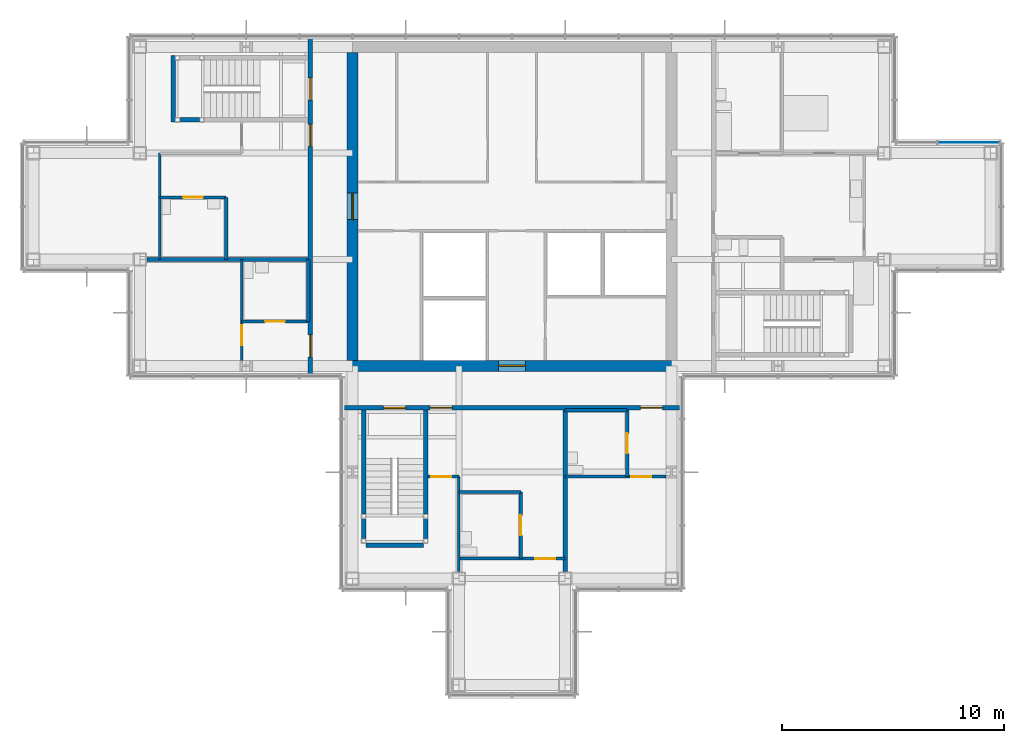
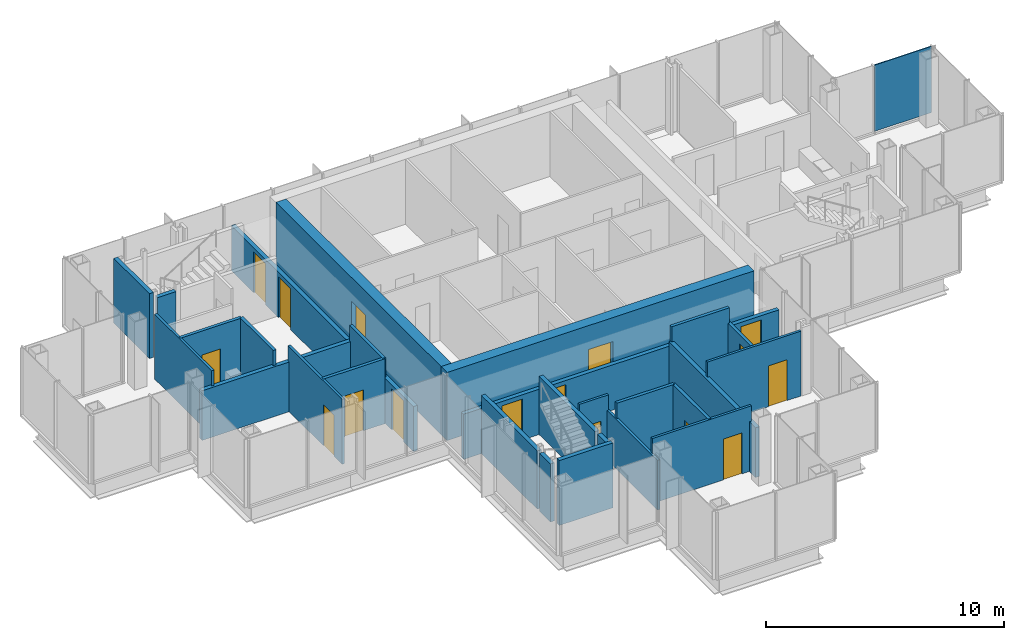
# One storey, part 10 of 15: 27 walls, 16 doors, 1 plate, 16 openings, 1 element without a shape of its own.
"""IFC4 building model written with IfcOpenShell, lengths in metres."""

from ifc_helpers import new_model, si_unit, direction, frame, frame_2d, origin, origin_2d, place, context, subcontext, project, spatial, rectangle, extrude, material, layer, layer_set, type_object, element, fill, aggregate, save


model = new_model("IFC4")

# Units and contexts
model_context = context("Model", 3, precision=1e-05, world=origin(), true_north=direction((0.0, 1.0)))
body_context = subcontext(model_context, "Body", "Model", "MODEL_VIEW")
ifc_project = project(units=[si_unit("LENGTHUNIT", "METRE"), si_unit("AREAUNIT", "SQUARE_METRE"), si_unit("VOLUMEUNIT", "CUBIC_METRE"), si_unit("PLANEANGLEUNIT", "RADIAN"), si_unit("MASSUNIT", "GRAM", prefix="KILO")], contexts=[model_context])

# Site, building, storey
site_placement = place(None, origin())
site = spatial("IfcSite", under=ifc_project, at=site_placement, CompositionType="ELEMENT")
building_placement = place(site_placement, origin())
building = spatial("IfcBuilding", under=site, at=building_placement, Name="Kvirike Care Tower", CompositionType="ELEMENT")
storey_placement = place(building_placement, frame((0.0, 0.0, 226.0)))
storey = spatial("IfcBuildingStorey", under=building, at=storey_placement, Name="L62", CompositionType="ELEMENT", Elevation=226.0)

# Curtain wall, plate
ifc_material_1 = material(Name="Anodised aluminium stick system", Category="aluminium")
curtain_wall_type = type_object("IfcCurtainWallType", Name="CW-D STICK CURTAIN WALL", PredefinedType="NOTDEFINED", material=ifc_material_1)
curtain_wall_placement = place(storey_placement, origin())
curtain_wall = element("IfcCurtainWall", 1, at=curtain_wall_placement, inside=storey, type_object=curtain_wall_type, Name="Curtain wall L62 face 5", PredefinedType="NOTDEFINED")
ifc_material_2 = material(Name="Tinted double glazed unit", Category="glass")
ifc_layer_1 = layer(ifc_material_2, 0.0439453125)
ifc_layer_set_1 = layer_set([ifc_layer_1], Name="TINTED VISION PANEL 44")
plate_type = type_object("IfcPlateType", Name="TINTED VISION PANEL 44", PredefinedType="CURTAIN_PANEL", material=ifc_layer_set_1)
plate_placement = place(storey_placement, frame((42.2236328125, 38.8798828125, 0.10009765625), z_axis=(0.0, 0.0, 1.0), x_axis=(-1.0, 0.0, 0.0)))
plate = element("IfcPlate", 2, at=plate_placement, type_object=plate_type, Name="CW-D panel L62 face 5.1", PredefinedType="CURTAIN_PANEL", context=body_context, shape_type="SweptSolid", body=[
    extrude(rectangle(XDim=2.782470703125, YDim=0.0439453125, at=origin_2d()), origin(), (0.0, 0.0, 1.0), 3.39990234375),
])
aggregate(curtain_wall, [plate])

# Wall, opening, door
ifc_material_3 = material(Name="Moisture-resistant board partition", Category="gypsum")
ifc_layer_2 = layer(ifc_material_3, 0.14990234375)
ifc_layer_set_2 = layer_set([ifc_layer_2], Name="BATHROOM WALL 150")
wall_type_1 = type_object("IfcWallType", Name="BATHROOM WALL 150", PredefinedType="PARTITIONING", material=ifc_layer_set_2)
wall_1_placement = place(storey_placement, frame((5.699951171875, 36.39990234375, 0.0), z_axis=(0.0, 0.0, 1.0), x_axis=(1.0, 0.0, 0.0)))
wall_1 = element("IfcWall", 3, at=wall_1_placement, inside=storey, type_object=wall_type_1, Name="Bathroom Wall 150 L62", PredefinedType="PARTITIONING", context=body_context, shape_type="SweptSolid", body=[
    extrude(rectangle(XDim=3.0, YDim=0.14990234375, at=frame_2d((1.5, 0.0))), origin(), (0.0, 0.0, 1.0), 3.330078125),
])
opening_1_placement = place(wall_1_placement, frame((1.050048828125, 0.0, 0.0)))
opening_1 = element("IfcOpeningElement", 4, at=opening_1_placement, cuts=wall_1, Name="Opening 62-001", PredefinedType="OPENING", context=body_context, shape_type="SweptSolid", body=[
    extrude(rectangle(XDim=0.89990234375, YDim=2.10009765625, at=frame_2d((0.449951171875, 1.050048828125))), frame((0.0, 0.08544921875, 0.0), z_axis=(0.0, -1.0, 0.0), x_axis=(1.0, 0.0, 0.0)), (0.0, 0.0, 1.0), 0.1708984375),
])
ifc_material_4 = material(Name="Timber door set", Category="wood")
door_type_1 = type_object("IfcDoorType", Name="BATHROOM DOOR 900", OperationType="SINGLE_SWING_RIGHT", PredefinedType="DOOR", material=ifc_material_4)
door_1_placement = place(opening_1_placement, frame((0.89990234375, 0.0, 0.0), z_axis=(0.0, 0.0, 1.0), x_axis=(-1.0, 0.0, 0.0)))
door_1 = element("IfcDoor", 5, at=door_1_placement, inside=storey, type_object=door_type_1, Name="Staff WC door", OperationType="SINGLE_SWING_LEFT", OverallHeight=2.10009765625, OverallWidth=0.89990234375, PredefinedType="DOOR", context=body_context, shape_type="SweptSolid", body=[
    extrude(rectangle(XDim=0.89990234375, YDim=2.10009765625, at=frame_2d((0.449951171875, 1.050048828125))), frame((0.0, 0.02197265625, 0.0), z_axis=(0.0, -1.0, 0.0), x_axis=(1.0, 0.0, 0.0)), (0.0, 0.0, 1.0), 0.0439453125),
])
fill(opening_1, door_1)

# Wall
wall_2_placement = place(storey_placement, frame((8.699951171875, 36.39990234375, 0.0), z_axis=(0.0, 0.0, 1.0), x_axis=(0.0, -1.0, 0.0)))
element("IfcWall", 6, at=wall_2_placement, inside=storey, type_object=wall_type_1, Name="Bathroom Wall 150 L62", PredefinedType="PARTITIONING", context=body_context, shape_type="SweptSolid", body=[
    extrude(rectangle(XDim=2.7998046875, YDim=0.14990234375, at=frame_2d((1.39990234375, 0.0))), origin(), (0.0, 0.0, 1.0), 3.330078125),
])

# Wall, opening, door
wall_3_placement = place(storey_placement, frame((9.39990234375, 30.800048828125, 0.0), z_axis=(0.0, 0.0, 1.0), x_axis=(1.0, 0.0, 0.0)))
wall_3 = element("IfcWall", 7, at=wall_3_placement, inside=storey, type_object=wall_type_1, Name="Bathroom Wall 150 L62", PredefinedType="PARTITIONING", context=body_context, shape_type="SweptSolid", body=[
    extrude(rectangle(XDim=3.0, YDim=0.14990234375, at=frame_2d((1.5, 0.0))), origin(), (0.0, 0.0, 1.0), 3.330078125),
])
opening_2_placement = place(wall_3_placement, frame((1.050048828125, 0.0, 0.0)))
opening_2 = element("IfcOpeningElement", 8, at=opening_2_placement, cuts=wall_3, Name="Opening 62-003", PredefinedType="OPENING", context=body_context, shape_type="SweptSolid", body=[
    extrude(rectangle(XDim=0.89990234375, YDim=2.10009765625, at=frame_2d((0.449951171875, 1.050048828125))), frame((0.0, 0.08544921875, 0.0), z_axis=(0.0, -1.0, 0.0), x_axis=(1.0, 0.0, 0.0)), (0.0, 0.0, 1.0), 0.1708984375),
])
door_2_placement = place(opening_2_placement, frame((0.89990234375, 0.0, 0.0), z_axis=(0.0, 0.0, 1.0), x_axis=(-1.0, 0.0, 0.0)))
door_2 = element("IfcDoor", 9, at=door_2_placement, inside=storey, type_object=door_type_1, Name="Accessible WC door", OperationType="SINGLE_SWING_LEFT", OverallHeight=2.10009765625, OverallWidth=0.89990234375, PredefinedType="DOOR", context=body_context, shape_type="SweptSolid", body=[
    extrude(rectangle(XDim=0.89990234375, YDim=2.10009765625, at=frame_2d((0.449951171875, 1.050048828125))), frame((0.0, 0.02197265625, 0.0), z_axis=(0.0, -1.0, 0.0), x_axis=(1.0, 0.0, 0.0)), (0.0, 0.0, 1.0), 0.0439453125),
])
fill(opening_2, door_2)

# Wall
wall_4_placement = place(storey_placement, frame((12.39990234375, 33.60009765625, 0.0), z_axis=(0.0, 0.0, 1.0), x_axis=(0.0, -1.0, 0.0)))
element("IfcWall", 10, at=wall_4_placement, inside=storey, type_object=wall_type_1, Name="Bathroom Wall 150 L62", PredefinedType="PARTITIONING", context=body_context, shape_type="SweptSolid", body=[
    extrude(rectangle(XDim=2.800048828125, YDim=0.14990234375, at=frame_2d((1.39990234375, 0.0))), origin(), (0.0, 0.0, 1.0), 3.330078125),
])

# Wall, opening, door
wall_5_placement = place(storey_placement, frame((22.0, 20.10009765625, 0.0), z_axis=(0.0, 0.0, 1.0), x_axis=(0.0, 1.0, 0.0)))
wall_5 = element("IfcWall", 11, at=wall_5_placement, inside=storey, type_object=wall_type_1, Name="Bathroom Wall 150 L62", PredefinedType="PARTITIONING", context=body_context, shape_type="SweptSolid", body=[
    extrude(rectangle(XDim=3.0, YDim=0.14990234375, at=frame_2d((1.5, 0.0))), origin(), (0.0, 0.0, 1.0), 3.330078125),
])
opening_3_placement = place(wall_5_placement, frame((1.050048828125, 0.0, 0.0)))
opening_3 = element("IfcOpeningElement", 12, at=opening_3_placement, cuts=wall_5, Name="Opening 62-008", PredefinedType="OPENING", context=body_context, shape_type="SweptSolid", body=[
    extrude(rectangle(XDim=0.89990234375, YDim=2.10009765625, at=frame_2d((0.449951171875, 1.050048828125))), frame((0.0, 0.08544921875, 0.0), z_axis=(0.0, -1.0, 0.0), x_axis=(1.0, 0.0, 0.0)), (0.0, 0.0, 1.0), 0.1708984375),
])
door_3_placement = place(opening_3_placement, origin())
door_3 = element("IfcDoor", 13, at=door_3_placement, inside=storey, type_object=door_type_1, Name="Accessible WC door", OperationType="SINGLE_SWING_LEFT", OverallHeight=2.10009765625, OverallWidth=0.89990234375, PredefinedType="DOOR", context=body_context, shape_type="SweptSolid", body=[
    extrude(rectangle(XDim=0.89990234375, YDim=2.10009765625, at=frame_2d((0.449951171875, 1.050048828125))), frame((0.0, 0.02197265625, 0.0), z_axis=(0.0, -1.0, 0.0), x_axis=(1.0, 0.0, 0.0)), (0.0, 0.0, 1.0), 0.0439453125),
])
fill(opening_3, door_3)

# Wall
wall_6_placement = place(storey_placement, frame((19.199951171875, 23.10009765625, 0.0), z_axis=(0.0, 0.0, 1.0), x_axis=(1.0, 0.0, 0.0)))
element("IfcWall", 14, at=wall_6_placement, inside=storey, type_object=wall_type_1, Name="Bathroom Wall 150 L62", PredefinedType="PARTITIONING", context=body_context, shape_type="SweptSolid", body=[
    extrude(rectangle(XDim=2.800048828125, YDim=0.14990234375, at=frame_2d((1.39990234375, 0.0))), origin(), (0.0, 0.0, 1.0), 3.330078125),
])

# Wall, opening, door
wall_7_placement = place(storey_placement, frame((26.800048828125, 23.800048828125, 0.0), z_axis=(0.0, 0.0, 1.0), x_axis=(0.0, 1.0, 0.0)))
wall_7 = element("IfcWall", 15, at=wall_7_placement, inside=storey, type_object=wall_type_1, Name="Bathroom Wall 150 L62", PredefinedType="PARTITIONING", context=body_context, shape_type="SweptSolid", body=[
    extrude(rectangle(XDim=3.0, YDim=0.14990234375, at=frame_2d((1.5, 0.0))), origin(), (0.0, 0.0, 1.0), 2.550048828125),
])
opening_4_placement = place(wall_7_placement, frame((1.050048828125, 0.0, 0.0)))
opening_4 = element("IfcOpeningElement", 16, at=opening_4_placement, cuts=wall_7, Name="Opening 62-011", PredefinedType="OPENING", context=body_context, shape_type="SweptSolid", body=[
    extrude(rectangle(XDim=0.89990234375, YDim=2.10009765625, at=frame_2d((0.449951171875, 1.050048828125))), frame((0.0, 0.08544921875, 0.0), z_axis=(0.0, -1.0, 0.0), x_axis=(1.0, 0.0, 0.0)), (0.0, 0.0, 1.0), 0.1708984375),
])
door_4_placement = place(opening_4_placement, frame((0.89990234375, 0.0, 0.0), z_axis=(0.0, 0.0, 1.0), x_axis=(-1.0, 0.0, 0.0)))
door_4 = element("IfcDoor", 17, at=door_4_placement, inside=storey, type_object=door_type_1, Name="Staff WC door", OperationType="SINGLE_SWING_RIGHT", OverallHeight=2.10009765625, OverallWidth=0.89990234375, PredefinedType="DOOR", context=body_context, shape_type="SweptSolid", body=[
    extrude(rectangle(XDim=0.89990234375, YDim=2.10009765625, at=frame_2d((0.449951171875, 1.050048828125))), frame((0.0, 0.02197265625, 0.0), z_axis=(0.0, -1.0, 0.0), x_axis=(1.0, 0.0, 0.0)), (0.0, 0.0, 1.0), 0.0439453125),
])
fill(opening_4, door_4)

# Wall
wall_8_placement = place(storey_placement, frame((24.0, 26.800048828125, 0.0), z_axis=(0.0, 0.0, 1.0), x_axis=(1.0, 0.0, 0.0)))
element("IfcWall", 18, at=wall_8_placement, inside=storey, type_object=wall_type_1, Name="Bathroom Wall 150 L62", PredefinedType="PARTITIONING", context=body_context, shape_type="SweptSolid", body=[
    extrude(rectangle(XDim=2.800048828125, YDim=0.14990234375, at=frame_2d((1.39990234375, 0.0))), origin(), (0.0, 0.0, 1.0), 3.330078125),
])

# Wall, opening, door
ifc_material_5 = material(Name="Concrete C40/50", Category="concrete")
ifc_layer_3 = layer(ifc_material_5, 0.5)
ifc_layer_set_3 = layer_set([ifc_layer_3], Name="CORE WALL 500 C40-50")
wall_type_2 = type_object("IfcWallType", Name="CORE WALL 500 C40-50", PredefinedType="SHEAR", material=ifc_layer_set_3)
wall_9_placement = place(storey_placement, frame((14.14990234375, 28.800048828125, -0.169921875), z_axis=(0.0, 0.0, 1.0), x_axis=(1.0, 0.0, 0.0)))
wall_9 = element("IfcWall", 19, at=wall_9_placement, inside=storey, type_object=wall_type_2, Name="Core wall S L62", PredefinedType="SHEAR", context=body_context, shape_type="SweptSolid", body=[
    extrude(rectangle(XDim=14.900146484375, YDim=0.5, at=frame_2d((7.4501953125, 0.0))), origin(), (0.0, 0.0, 1.0), 3.5),
])
opening_5_placement = place(wall_9_placement, frame((6.85009765625, 0.0, 0.169921875)))
opening_5 = element("IfcOpeningElement", 20, at=opening_5_placement, cuts=wall_9, Name="Opening 62-036", PredefinedType="OPENING", context=body_context, shape_type="SweptSolid", body=[
    extrude(rectangle(XDim=1.199951171875, YDim=2.10009765625, at=frame_2d((0.60009765625, 1.050048828125))), frame((0.0, 0.260498046875, 0.0), z_axis=(0.0, -1.0, 0.0), x_axis=(1.0, 0.0, 0.0)), (0.0, 0.0, 1.0), 0.52099609375),
])
ifc_material_6 = material(Name="Timber door set", Category="wood")
door_type_2 = type_object("IfcDoorType", Name="CORE DOOR 1200", OperationType="SINGLE_SWING_LEFT", PredefinedType="DOOR", material=ifc_material_6)
door_5_placement = place(opening_5_placement, origin())
door_5 = element("IfcDoor", 21, at=door_5_placement, inside=storey, type_object=door_type_2, Name="Core door S L62", OperationType="SINGLE_SWING_LEFT", OverallHeight=2.10009765625, OverallWidth=1.199951171875, PredefinedType="DOOR", context=body_context, shape_type="SweptSolid", body=[
    extrude(rectangle(XDim=1.199951171875, YDim=2.10009765625, at=frame_2d((0.60009765625, 1.050048828125))), frame((0.0, 0.02685546875, 0.0), z_axis=(0.0, -1.0, 0.0), x_axis=(1.0, 0.0, 0.0)), (0.0, 0.0, 1.0), 0.053955078125),
])
fill(opening_5, door_5)

wall_10_placement = place(storey_placement, frame((14.39990234375, 42.949951171875, -0.169921875), z_axis=(0.0, 0.0, 1.0), x_axis=(0.0, -1.0, 0.0)))
wall_10 = element("IfcWall", 22, at=wall_10_placement, inside=storey, type_object=wall_type_2, Name="Core wall W L62", PredefinedType="SHEAR", context=body_context, shape_type="SweptSolid", body=[
    extrude(rectangle(XDim=13.89990234375, YDim=0.5, at=frame_2d((6.949951171875, 0.0))), origin(), (0.0, 0.0, 1.0), 3.5),
])
opening_6_placement = place(wall_10_placement, frame((6.35009765625, 0.0, 0.169921875)))
opening_6 = element("IfcOpeningElement", 23, at=opening_6_placement, cuts=wall_10, Name="Opening 62-037", PredefinedType="OPENING", context=body_context, shape_type="SweptSolid", body=[
    extrude(rectangle(XDim=1.199951171875, YDim=2.10009765625, at=frame_2d((0.60009765625, 1.050048828125))), frame((0.0, 0.260498046875, 0.0), z_axis=(0.0, -1.0, 0.0), x_axis=(1.0, 0.0, 0.0)), (0.0, 0.0, 1.0), 0.52099609375),
])
door_6_placement = place(opening_6_placement, origin())
door_6 = element("IfcDoor", 24, at=door_6_placement, inside=storey, type_object=door_type_2, Name="Core door W L62", OperationType="SINGLE_SWING_LEFT", OverallHeight=2.10009765625, OverallWidth=1.199951171875, PredefinedType="DOOR", context=body_context, shape_type="SweptSolid", body=[
    extrude(rectangle(XDim=1.199951171875, YDim=2.10009765625, at=frame_2d((0.60009765625, 1.050048828125))), frame((0.0, 0.02685546875, 0.0), z_axis=(0.0, -1.0, 0.0), x_axis=(1.0, 0.0, 0.0)), (0.0, 0.0, 1.0), 0.053955078125),
])
fill(opening_6, door_6)

# Wall, openings, doors
ifc_material_7 = material(Name="Plasterboard corridor wall", Category="gypsum")
ifc_layer_4 = layer(ifc_material_7, 0.199951171875)
ifc_layer_set_4 = layer_set([ifc_layer_4], Name="CORRIDOR WALL 200")
wall_type_3 = type_object("IfcWallType", Name="CORRIDOR WALL 200", PredefinedType="PARTITIONING", material=ifc_layer_set_4)
wall_11_placement = place(storey_placement, frame((12.5, 43.655029296875, 0.0), z_axis=(0.0, 0.0, 1.0), x_axis=(0.0, -1.0, 0.0)))
wall_11 = element("IfcWall", 25, at=wall_11_placement, inside=storey, type_object=wall_type_3, Name="Corridor Wall 200 L62", PredefinedType="PARTITIONING", context=body_context, shape_type="SweptSolid", body=[
    extrude(rectangle(XDim=15.31005859375, YDim=0.199951171875, at=frame_2d((7.655029296875, 0.0))), origin(), (0.0, 0.0, 1.0), 2.320068359375),
])
opening_7_placement = place(wall_11_placement, frame((1.85498046875, 0.0, 0.0)))
opening_7 = element("IfcOpeningElement", 26, at=opening_7_placement, cuts=wall_11, Name="Opening 62-005", PredefinedType="OPENING", context=body_context, shape_type="SweptSolid", body=[
    extrude(rectangle(XDim=1.0, YDim=2.10009765625, at=frame_2d((0.5, 1.050048828125))), frame((0.0, 0.110595703125, 0.0), z_axis=(0.0, -1.0, 0.0), x_axis=(1.0, 0.0, 0.0)), (0.0, 0.0, 1.0), 0.220947265625),
])
opening_8_placement = place(wall_11_placement, frame((3.955078125, 0.0, 0.0)))
opening_8 = element("IfcOpeningElement", 27, at=opening_8_placement, cuts=wall_11, Name="Opening 62-006", PredefinedType="OPENING", context=body_context, shape_type="SweptSolid", body=[
    extrude(rectangle(XDim=1.0, YDim=2.10009765625, at=frame_2d((0.5, 1.050048828125))), frame((0.0, 0.110595703125, 0.0), z_axis=(0.0, -1.0, 0.0), x_axis=(1.0, 0.0, 0.0)), (0.0, 0.0, 1.0), 0.220947265625),
])
opening_9_placement = place(wall_11_placement, frame((13.455078125, 0.0, 0.0)))
opening_9 = element("IfcOpeningElement", 28, at=opening_9_placement, cuts=wall_11, Name="Opening 62-007", PredefinedType="OPENING", context=body_context, shape_type="SweptSolid", body=[
    extrude(rectangle(XDim=1.0, YDim=2.10009765625, at=frame_2d((0.5, 1.050048828125))), frame((0.0, 0.110595703125, 0.0), z_axis=(0.0, -1.0, 0.0), x_axis=(1.0, 0.0, 0.0)), (0.0, 0.0, 1.0), 0.220947265625),
])
ifc_material_8 = material(Name="Timber door set", Category="wood")
door_type_3 = type_object("IfcDoorType", Name="FLAT ENTRANCE DOOR 1000", OperationType="SINGLE_SWING_LEFT", PredefinedType="DOOR", material=ifc_material_8)
door_7_placement = place(opening_8_placement, frame((1.0, 0.0, 0.0), z_axis=(0.0, 0.0, 1.0), x_axis=(-1.0, 0.0, 0.0)))
door_7 = element("IfcDoor", 29, at=door_7_placement, inside=storey, type_object=door_type_3, Name="Staff training room entrance", OperationType="SINGLE_SWING_LEFT", OverallHeight=2.10009765625, OverallWidth=1.0, PredefinedType="DOOR", context=body_context, shape_type="SweptSolid", body=[
    extrude(rectangle(XDim=1.0, YDim=2.10009765625, at=frame_2d((0.5, 1.050048828125))), frame((0.0, 0.02685546875, 0.0), z_axis=(0.0, -1.0, 0.0), x_axis=(1.0, 0.0, 0.0)), (0.0, 0.0, 1.0), 0.053955078125),
])
fill(opening_8, door_7)
door_8_placement = place(opening_9_placement, frame((1.0, 0.0, 0.0), z_axis=(0.0, 0.0, 1.0), x_axis=(-1.0, 0.0, 0.0)))
door_8 = element("IfcDoor", 30, at=door_8_placement, inside=storey, type_object=door_type_3, Name="Staff office entrance", OperationType="SINGLE_SWING_RIGHT", OverallHeight=2.10009765625, OverallWidth=1.0, PredefinedType="DOOR", context=body_context, shape_type="SweptSolid", body=[
    extrude(rectangle(XDim=1.0, YDim=2.10009765625, at=frame_2d((0.5, 1.050048828125))), frame((0.0, 0.02685546875, 0.0), z_axis=(0.0, -1.0, 0.0), x_axis=(1.0, 0.0, 0.0)), (0.0, 0.0, 1.0), 0.053955078125),
])
fill(opening_9, door_8)
ifc_material_9 = material(Name="Timber door set", Category="wood")
door_type_4 = type_object("IfcDoorType", Name="STAIR DOOR 1000", OperationType="SINGLE_SWING_LEFT", PredefinedType="DOOR", material=ifc_material_9)
door_9_placement = place(opening_7_placement, frame((1.0, 0.0, 0.0), z_axis=(0.0, 0.0, 1.0), x_axis=(-1.0, 0.0, 0.0)))
door_9 = element("IfcDoor", 31, at=door_9_placement, inside=storey, type_object=door_type_4, Name="Stair 1 door", OperationType="SINGLE_SWING_RIGHT", OverallHeight=2.10009765625, OverallWidth=1.0, PredefinedType="DOOR", context=body_context, shape_type="SweptSolid", body=[
    extrude(rectangle(XDim=1.0, YDim=2.10009765625, at=frame_2d((0.5, 1.050048828125))), frame((0.0, 0.031982421875, 0.0), z_axis=(0.0, -1.0, 0.0), x_axis=(1.0, 0.0, 0.0)), (0.0, 0.0, 1.0), 0.06396484375),
])
fill(opening_7, door_9)

wall_12_placement = place(storey_placement, frame((13.945068359375, 26.89990234375, 0.0), z_axis=(0.0, 0.0, 1.0), x_axis=(1.0, 0.0, 0.0)))
wall_12 = element("IfcWall", 32, at=wall_12_placement, inside=storey, type_object=wall_type_3, Name="Corridor Wall 200 L62", PredefinedType="PARTITIONING", context=body_context, shape_type="SweptSolid", body=[
    extrude(rectangle(XDim=15.309814453125, YDim=0.199951171875, at=frame_2d((7.65478515625, 0.0))), origin(), (0.0, 0.0, 1.0), 2.320068359375),
])
opening_10_placement = place(wall_12_placement, frame((1.85498046875, 0.0, 0.0)))
opening_10 = element("IfcOpeningElement", 33, at=opening_10_placement, cuts=wall_12, Name="Opening 62-013", PredefinedType="OPENING", context=body_context, shape_type="SweptSolid", body=[
    extrude(rectangle(XDim=1.0, YDim=2.10009765625, at=frame_2d((0.5, 1.050048828125))), frame((0.0, 0.110595703125, 0.0), z_axis=(0.0, -1.0, 0.0), x_axis=(1.0, 0.0, 0.0)), (0.0, 0.0, 1.0), 0.220947265625),
])
opening_11_placement = place(wall_12_placement, frame((3.955078125, 0.0, 0.0)))
opening_11 = element("IfcOpeningElement", 34, at=opening_11_placement, cuts=wall_12, Name="Opening 62-014", PredefinedType="OPENING", context=body_context, shape_type="SweptSolid", body=[
    extrude(rectangle(XDim=1.0, YDim=2.10009765625, at=frame_2d((0.5, 1.050048828125))), frame((0.0, 0.110595703125, 0.0), z_axis=(0.0, -1.0, 0.0), x_axis=(1.0, 0.0, 0.0)), (0.0, 0.0, 1.0), 0.220947265625),
])
opening_12_placement = place(wall_12_placement, frame((13.455078125, 0.0, 0.0)))
opening_12 = element("IfcOpeningElement", 35, at=opening_12_placement, cuts=wall_12, Name="Opening 62-015", PredefinedType="OPENING", context=body_context, shape_type="SweptSolid", body=[
    extrude(rectangle(XDim=1.0, YDim=2.10009765625, at=frame_2d((0.5, 1.050048828125))), frame((0.0, 0.110595703125, 0.0), z_axis=(0.0, -1.0, 0.0), x_axis=(1.0, 0.0, 0.0)), (0.0, 0.0, 1.0), 0.220947265625),
])
door_10_placement = place(opening_11_placement, frame((1.0, 0.0, 0.0), z_axis=(0.0, 0.0, 1.0), x_axis=(-1.0, 0.0, 0.0)))
door_10 = element("IfcDoor", 36, at=door_10_placement, inside=storey, type_object=door_type_3, Name="Fitness room entrance", OperationType="SINGLE_SWING_LEFT", OverallHeight=2.10009765625, OverallWidth=1.0, PredefinedType="DOOR", context=body_context, shape_type="SweptSolid", body=[
    extrude(rectangle(XDim=1.0, YDim=2.10009765625, at=frame_2d((0.5, 1.050048828125))), frame((0.0, 0.02685546875, 0.0), z_axis=(0.0, -1.0, 0.0), x_axis=(1.0, 0.0, 0.0)), (0.0, 0.0, 1.0), 0.053955078125),
])
fill(opening_11, door_10)
door_11_placement = place(opening_12_placement, frame((1.0, 0.0, 0.0), z_axis=(0.0, 0.0, 1.0), x_axis=(-1.0, 0.0, 0.0)))
door_11 = element("IfcDoor", 37, at=door_11_placement, inside=storey, type_object=door_type_3, Name="Wellness treatment room entrance", OperationType="SINGLE_SWING_RIGHT", OverallHeight=2.10009765625, OverallWidth=1.0, PredefinedType="DOOR", context=body_context, shape_type="SweptSolid", body=[
    extrude(rectangle(XDim=1.0, YDim=2.10009765625, at=frame_2d((0.5, 1.050048828125))), frame((0.0, 0.02685546875, 0.0), z_axis=(0.0, -1.0, 0.0), x_axis=(1.0, 0.0, 0.0)), (0.0, 0.0, 1.0), 0.053955078125),
])
fill(opening_12, door_11)
door_12_placement = place(opening_10_placement, frame((1.0, 0.0, 0.0), z_axis=(0.0, 0.0, 1.0), x_axis=(-1.0, 0.0, 0.0)))
door_12 = element("IfcDoor", 38, at=door_12_placement, inside=storey, type_object=door_type_4, Name="Stair 5 door", OperationType="SINGLE_SWING_RIGHT", OverallHeight=2.10009765625, OverallWidth=1.0, PredefinedType="DOOR", context=body_context, shape_type="SweptSolid", body=[
    extrude(rectangle(XDim=1.0, YDim=2.10009765625, at=frame_2d((0.5, 1.050048828125))), frame((0.0, 0.031982421875, 0.0), z_axis=(0.0, -1.0, 0.0), x_axis=(1.0, 0.0, 0.0)), (0.0, 0.0, 1.0), 0.06396484375),
])
fill(opening_10, door_12)

# Wall
ifc_material_10 = material(Name="Plasterboard partition", Category="gypsum")
ifc_layer_5 = layer(ifc_material_10, 0.1201171875)
ifc_layer_set_5 = layer_set([ifc_layer_5], Name="PARTITION 120")
wall_type_4 = type_object("IfcWallType", Name="PARTITION 120", PredefinedType="PARTITIONING", material=ifc_layer_set_5)
wall_13_placement = place(storey_placement, frame((5.699951171875, 38.39990234375, 0.0), z_axis=(0.0, 0.0, 1.0), x_axis=(0.0, -1.0, 0.0)))
element("IfcWall", 39, at=wall_13_placement, inside=storey, type_object=wall_type_4, Name="Partition 120 L62", PredefinedType="PARTITIONING", context=body_context, shape_type="SweptSolid", body=[
    extrude(rectangle(XDim=4.7998046875, YDim=0.1201171875, at=frame_2d((2.39990234375, 0.0))), origin(), (0.0, 0.0, 1.0), 3.330078125),
])

# Wall, opening, door
wall_14_placement = place(storey_placement, frame((9.39990234375, 33.60009765625, 0.0), z_axis=(0.0, 0.0, 1.0), x_axis=(0.0, -1.0, 0.0)))
wall_14 = element("IfcWall", 40, at=wall_14_placement, inside=storey, type_object=wall_type_4, Name="Partition 120 L62", PredefinedType="PARTITIONING", context=body_context, shape_type="SweptSolid", body=[
    extrude(rectangle(XDim=4.55615234375, YDim=0.1201171875, at=frame_2d((2.278076171875, 0.0))), origin(), (0.0, 0.0, 1.0), 3.330078125),
])
opening_13_placement = place(wall_14_placement, frame((2.97509765625, 0.0, 0.0)))
opening_13 = element("IfcOpeningElement", 41, at=opening_13_placement, cuts=wall_14, Name="Opening 62-004", PredefinedType="OPENING", context=body_context, shape_type="SweptSolid", body=[
    extrude(rectangle(XDim=0.89990234375, YDim=2.10009765625, at=frame_2d((0.449951171875, 1.050048828125))), frame((0.0, 0.070556640625, 0.0), z_axis=(0.0, -1.0, 0.0), x_axis=(1.0, 0.0, 0.0)), (0.0, 0.0, 1.0), 0.14111328125),
])
ifc_material_11 = material(Name="Timber door set", Category="wood")
door_type_5 = type_object("IfcDoorType", Name="INTERNAL DOOR 900", OperationType="SINGLE_SWING_LEFT", PredefinedType="DOOR", material=ifc_material_11)
door_13_placement = place(opening_13_placement, origin())
door_13 = element("IfcDoor", 42, at=door_13_placement, inside=storey, type_object=door_type_5, Name="Staff office door", OperationType="SINGLE_SWING_RIGHT", OverallHeight=2.10009765625, OverallWidth=0.89990234375, PredefinedType="DOOR", context=body_context, shape_type="SweptSolid", body=[
    extrude(rectangle(XDim=0.89990234375, YDim=2.10009765625, at=frame_2d((0.449951171875, 1.050048828125))), frame((0.0, 0.02197265625, 0.0), z_axis=(0.0, -1.0, 0.0), x_axis=(1.0, 0.0, 0.0)), (0.0, 0.0, 1.0), 0.0439453125),
])
fill(opening_13, door_13)

wall_15_placement = place(storey_placement, frame((17.800048828125, 23.800048828125, 0.0), z_axis=(0.0, 0.0, 1.0), x_axis=(1.0, 0.0, 0.0)))
wall_15 = element("IfcWall", 43, at=wall_15_placement, inside=storey, type_object=wall_type_4, Name="Partition 120 L62", PredefinedType="PARTITIONING", context=body_context, shape_type="SweptSolid", body=[
    extrude(rectangle(XDim=1.39990234375, YDim=0.1201171875, at=frame_2d((0.699951171875, 0.0))), origin(), (0.0, 0.0, 1.0), 3.330078125),
])
opening_14_placement = place(wall_15_placement, frame((0.14990234375, 0.0, 0.0)))
opening_14 = element("IfcOpeningElement", 44, at=opening_14_placement, cuts=wall_15, Name="Opening 62-009", PredefinedType="OPENING", context=body_context, shape_type="SweptSolid", body=[
    extrude(rectangle(XDim=0.89990234375, YDim=2.10009765625, at=frame_2d((0.449951171875, 1.050048828125))), frame((0.0, 0.070556640625, 0.0), z_axis=(0.0, -1.0, 0.0), x_axis=(1.0, 0.0, 0.0)), (0.0, 0.0, 1.0), 0.14111328125),
])
door_14_placement = place(opening_14_placement, frame((0.89990234375, 0.0, 0.0), z_axis=(0.0, 0.0, 1.0), x_axis=(-1.0, 0.0, 0.0)))
door_14 = element("IfcDoor", 45, at=door_14_placement, inside=storey, type_object=door_type_5, Name="Wellness lounge door", OperationType="SINGLE_SWING_LEFT", OverallHeight=2.10009765625, OverallWidth=0.89990234375, PredefinedType="DOOR", context=body_context, shape_type="SweptSolid", body=[
    extrude(rectangle(XDim=0.89990234375, YDim=2.10009765625, at=frame_2d((0.449951171875, 1.050048828125))), frame((0.0, 0.02197265625, 0.0), z_axis=(0.0, -1.0, 0.0), x_axis=(1.0, 0.0, 0.0)), (0.0, 0.0, 1.0), 0.0439453125),
])
fill(opening_14, door_14)

wall_16_placement = place(storey_placement, frame((19.199951171875, 20.10009765625, 0.0), z_axis=(0.0, 0.0, 1.0), x_axis=(1.0, 0.0, 0.0)))
wall_16 = element("IfcWall", 46, at=wall_16_placement, inside=storey, type_object=wall_type_4, Name="Partition 120 L62", PredefinedType="PARTITIONING", context=body_context, shape_type="SweptSolid", body=[
    extrude(rectangle(XDim=4.800048828125, YDim=0.1201171875, at=frame_2d((2.39990234375, 0.0))), origin(), (0.0, 0.0, 1.0), 3.330078125),
])
opening_15_placement = place(wall_16_placement, frame((3.449951171875, 0.0, 0.0)))
opening_15 = element("IfcOpeningElement", 47, at=opening_15_placement, cuts=wall_16, Name="Opening 62-010", PredefinedType="OPENING", context=body_context, shape_type="SweptSolid", body=[
    extrude(rectangle(XDim=0.89990234375, YDim=2.10009765625, at=frame_2d((0.449951171875, 1.050048828125))), frame((0.0, 0.070556640625, 0.0), z_axis=(0.0, -1.0, 0.0), x_axis=(1.0, 0.0, 0.0)), (0.0, 0.0, 1.0), 0.14111328125),
])
door_15_placement = place(opening_15_placement, frame((0.89990234375, 0.0, 0.0), z_axis=(0.0, 0.0, 1.0), x_axis=(-1.0, 0.0, 0.0)))
door_15 = element("IfcDoor", 48, at=door_15_placement, inside=storey, type_object=door_type_5, Name="Fitness room door", OperationType="SINGLE_SWING_RIGHT", OverallHeight=2.10009765625, OverallWidth=0.89990234375, PredefinedType="DOOR", context=body_context, shape_type="SweptSolid", body=[
    extrude(rectangle(XDim=0.89990234375, YDim=2.10009765625, at=frame_2d((0.449951171875, 1.050048828125))), frame((0.0, 0.02197265625, 0.0), z_axis=(0.0, -1.0, 0.0), x_axis=(1.0, 0.0, 0.0)), (0.0, 0.0, 1.0), 0.0439453125),
])
fill(opening_15, door_15)

# Wall
wall_17_placement = place(storey_placement, frame((19.199951171875, 19.52001953125, 0.0), z_axis=(0.0, 0.0, 1.0), x_axis=(0.0, 1.0, 0.0)))
element("IfcWall", 49, at=wall_17_placement, inside=storey, type_object=wall_type_4, Name="Partition 120 L62", PredefinedType="PARTITIONING", context=body_context, shape_type="SweptSolid", body=[
    extrude(rectangle(XDim=4.280029296875, YDim=0.1201171875, at=frame_2d((2.14013671875, 0.0))), origin(), (0.0, 0.0, 1.0), 2.550048828125),
])

# Wall, opening, door
wall_18_placement = place(storey_placement, frame((24.0, 23.800048828125, 0.0), z_axis=(0.0, 0.0, 1.0), x_axis=(1.0, 0.0, 0.0)))
wall_18 = element("IfcWall", 50, at=wall_18_placement, inside=storey, type_object=wall_type_4, Name="Partition 120 L62", PredefinedType="PARTITIONING", context=body_context, shape_type="SweptSolid", body=[
    extrude(rectangle(XDim=4.555908203125, YDim=0.1201171875, at=frame_2d((2.27783203125, 0.0))), origin(), (0.0, 0.0, 1.0), 3.330078125),
])
opening_16_placement = place(wall_18_placement, frame((2.97509765625, 0.0, 0.0)))
opening_16 = element("IfcOpeningElement", 51, at=opening_16_placement, cuts=wall_18, Name="Opening 62-012", PredefinedType="OPENING", context=body_context, shape_type="SweptSolid", body=[
    extrude(rectangle(XDim=0.89990234375, YDim=2.10009765625, at=frame_2d((0.449951171875, 1.050048828125))), frame((0.0, 0.070556640625, 0.0), z_axis=(0.0, -1.0, 0.0), x_axis=(1.0, 0.0, 0.0)), (0.0, 0.0, 1.0), 0.14111328125),
])
door_16_placement = place(opening_16_placement, origin())
door_16 = element("IfcDoor", 52, at=door_16_placement, inside=storey, type_object=door_type_5, Name="Wellness treatment room door", OperationType="SINGLE_SWING_RIGHT", OverallHeight=2.10009765625, OverallWidth=0.89990234375, PredefinedType="DOOR", context=body_context, shape_type="SweptSolid", body=[
    extrude(rectangle(XDim=0.89990234375, YDim=2.10009765625, at=frame_2d((0.449951171875, 1.050048828125))), frame((0.0, 0.02197265625, 0.0), z_axis=(0.0, -1.0, 0.0), x_axis=(1.0, 0.0, 0.0)), (0.0, 0.0, 1.0), 0.0439453125),
])
fill(opening_16, door_16)

# Walls
ifc_material_12 = material(Name="Plasterboard party wall", Category="gypsum")
ifc_layer_6 = layer(ifc_material_12, 0.199951171875)
ifc_layer_set_6 = layer_set([ifc_layer_6], Name="PARTY WALL 200")
wall_type_5 = type_object("IfcWallType", Name="PARTY WALL 200", PredefinedType="PARTITIONING", material=ifc_layer_set_6)
wall_19_placement = place(storey_placement, frame((5.1201171875, 33.60009765625, 0.0), z_axis=(0.0, 0.0, 1.0), x_axis=(1.0, 0.0, 0.0)))
element("IfcWall", 53, at=wall_19_placement, inside=storey, type_object=wall_type_5, Name="Party Wall 200 L62", PredefinedType="PARTITIONING", context=body_context, shape_type="SweptSolid", body=[
    extrude(rectangle(XDim=7.27978515625, YDim=0.199951171875, at=frame_2d((3.639892578125, 0.0))), origin(), (0.0, 0.0, 1.0), 2.550048828125),
])
wall_20_placement = place(storey_placement, frame((24.0, 19.52001953125, 0.0), z_axis=(0.0, 0.0, 1.0), x_axis=(0.0, 1.0, 0.0)))
element("IfcWall", 54, at=wall_20_placement, inside=storey, type_object=wall_type_5, Name="Party Wall 200 L62", PredefinedType="PARTITIONING", context=body_context, shape_type="SweptSolid", body=[
    extrude(rectangle(XDim=7.280029296875, YDim=0.199951171875, at=frame_2d((3.64013671875, 0.0))), origin(), (0.0, 0.0, 1.0), 2.550048828125),
])
ifc_material_13 = material(Name="Concrete C40/50", Category="concrete")
ifc_layer_7 = layer(ifc_material_13, 0.199951171875)
ifc_layer_set_7 = layer_set([ifc_layer_7], Name="STAIR WALL 200")
wall_type_6 = type_object("IfcWallType", Name="STAIR WALL 200", PredefinedType="SOLIDWALL", material=ifc_layer_set_7)
wall_21_placement = place(storey_placement, frame((6.60009765625, 39.89990234375, 0.0), z_axis=(0.0, 0.0, 1.0), x_axis=(1.0, 0.0, 0.0)))
element("IfcWall", 55, at=wall_21_placement, inside=storey, type_object=wall_type_6, Name="Stair Wall 200 L62", PredefinedType="SOLIDWALL", context=body_context, shape_type="SweptSolid", body=[
    extrude(rectangle(XDim=0.89990234375, YDim=0.199951171875, at=frame_2d((0.449951171875, 0.0))), origin(), (0.0, 0.0, 1.0), 2.989990234375),
])
wall_22_placement = place(storey_placement, frame((6.300048828125, 42.800048828125, 0.0), z_axis=(0.0, 0.0, 1.0), x_axis=(0.0, -1.0, 0.0)))
element("IfcWall", 56, at=wall_22_placement, inside=storey, type_object=wall_type_6, Name="Stair Wall 200 L62", PredefinedType="SOLIDWALL", context=body_context, shape_type="SweptSolid", body=[
    extrude(rectangle(XDim=3.0, YDim=0.199951171875, at=frame_2d((1.5, 0.0))), origin(), (0.0, 0.0, 1.0), 3.330078125),
])
wall_23_placement = place(storey_placement, frame((14.89990234375, 21.0, 0.0), z_axis=(0.0, 0.0, 1.0), x_axis=(0.0, 1.0, 0.0)))
element("IfcWall", 57, at=wall_23_placement, inside=storey, type_object=wall_type_6, Name="Stair Wall 200 L62", PredefinedType="SOLIDWALL", context=body_context, shape_type="SweptSolid", body=[
    extrude(rectangle(XDim=0.89990234375, YDim=0.199951171875, at=frame_2d((0.449951171875, 0.0))), origin(), (0.0, 0.0, 1.0), 2.989990234375),
])
wall_24_placement = place(storey_placement, frame((14.89990234375, 22.10009765625, 0.0), z_axis=(0.0, 0.0, 1.0), x_axis=(0.0, 1.0, 0.0)))
element("IfcWall", 58, at=wall_24_placement, inside=storey, type_object=wall_type_6, Name="Stair Wall 200 L62", PredefinedType="SOLIDWALL", context=body_context, shape_type="SweptSolid", body=[
    extrude(rectangle(XDim=4.699951171875, YDim=0.199951171875, at=frame_2d((2.35009765625, 0.0))), origin(), (0.0, 0.0, 1.0), 2.989990234375),
])
wall_25_placement = place(storey_placement, frame((17.699951171875, 21.0, 0.0), z_axis=(0.0, 0.0, 1.0), x_axis=(0.0, 1.0, 0.0)))
element("IfcWall", 59, at=wall_25_placement, inside=storey, type_object=wall_type_6, Name="Stair Wall 200 L62", PredefinedType="SOLIDWALL", context=body_context, shape_type="SweptSolid", body=[
    extrude(rectangle(XDim=0.89990234375, YDim=0.199951171875, at=frame_2d((0.449951171875, 0.0))), origin(), (0.0, 0.0, 1.0), 2.989990234375),
])
wall_26_placement = place(storey_placement, frame((17.699951171875, 22.10009765625, 0.0), z_axis=(0.0, 0.0, 1.0), x_axis=(0.0, 1.0, 0.0)))
element("IfcWall", 60, at=wall_26_placement, inside=storey, type_object=wall_type_6, Name="Stair Wall 200 L62", PredefinedType="SOLIDWALL", context=body_context, shape_type="SweptSolid", body=[
    extrude(rectangle(XDim=4.699951171875, YDim=0.199951171875, at=frame_2d((2.35009765625, 0.0))), origin(), (0.0, 0.0, 1.0), 2.989990234375),
])
wall_27_placement = place(storey_placement, frame((15.0, 20.699951171875, 0.0), z_axis=(0.0, 0.0, 1.0), x_axis=(1.0, 0.0, 0.0)))
element("IfcWall", 61, at=wall_27_placement, inside=storey, type_object=wall_type_6, Name="Stair Wall 200 L62", PredefinedType="SOLIDWALL", context=body_context, shape_type="SweptSolid", body=[
    extrude(rectangle(XDim=2.60009765625, YDim=0.199951171875, at=frame_2d((1.300048828125, 0.0))), origin(), (0.0, 0.0, 1.0), 3.330078125),
])

save(model, "model.ifc")
